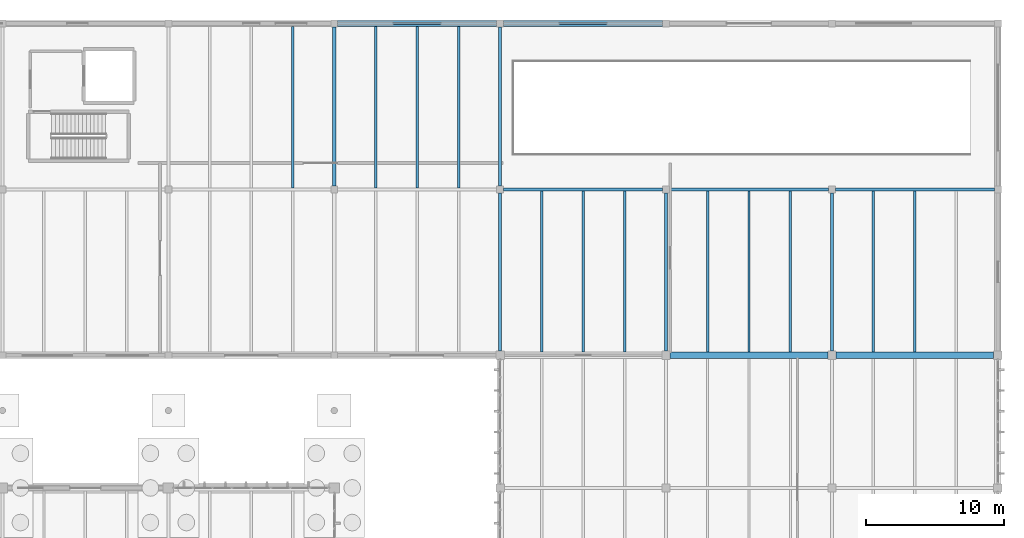
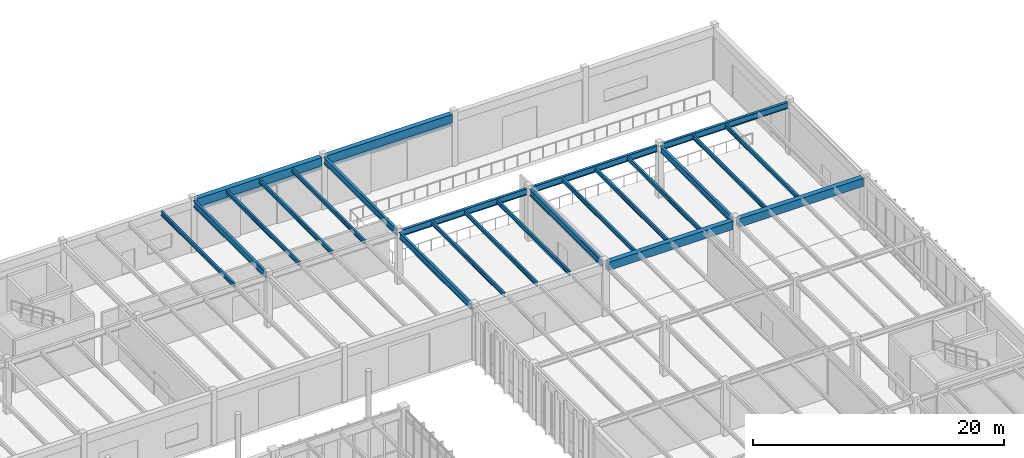
# One storey, part 125 of 188: 26 beams.
"""IFC4 building model written with IfcOpenShell, lengths in metres."""

from ifc_helpers import new_model, si_unit, direction, frame, origin, origin_2d, place, context, subcontext, project, spatial, rectangle, hollow_rectangle, i_section, extrude, material, material_profile, profile_set, type_object, element, save


model = new_model("IFC4")

# Units and contexts
model_context = context("Model", 3, precision=1e-05, world=origin(), true_north=direction((0.0, 1.0)))
body_context = subcontext(model_context, "Body", "Model", "MODEL_VIEW")
ifc_project = project(units=[si_unit("LENGTHUNIT", "METRE"), si_unit("AREAUNIT", "SQUARE_METRE"), si_unit("VOLUMEUNIT", "CUBIC_METRE"), si_unit("PLANEANGLEUNIT", "RADIAN"), si_unit("MASSUNIT", "GRAM", prefix="KILO")], contexts=[model_context])

# Site, building, storey
site_placement = place(None, origin())
site = spatial("IfcSite", under=ifc_project, at=site_placement, CompositionType="ELEMENT")
building_placement = place(site_placement, origin())
building = spatial("IfcBuilding", under=site, at=building_placement, Name="Pandanus Reach Market Hall", CompositionType="ELEMENT")
storey_placement = place(building_placement, origin())
storey = spatial("IfcBuildingStorey", under=building, at=storey_placement, Name="L00", CompositionType="ELEMENT", Elevation=0.0)

# Beams
ifc_material_1 = material(Name="Concrete N40 (40 MPa)", Category="concrete")
ifc_material_profile_1 = material_profile(ifc_material_1, rectangle(XDim=0.449951171875, YDim=0.800048828125, at=origin_2d()), Name="RC450x800", Category="LoadBearing")
ifc_profile_set_1 = profile_set([ifc_material_profile_1], Name="Concrete N40 (40 MPa)")
beam_type_1 = type_object("IfcBeamType", Name="BM-RC450-E", PredefinedType="SPANDREL", material=ifc_profile_set_1)
for number, where, z_axis, x_axis, name in (
    (1, (156.298095703125, 96.0, 4.659912109375), (1.0, 0.0, 0.0), (0.0, 1.0, 0.0), "Framing beam BM-RC450-E L00.186"),
    (2, (168.298095703125, 96.0, 4.659912109375), (1.0, 0.0, 0.0), (0.0, 1.0, 0.0), "Framing beam BM-RC450-E L00.187"),
):
    element("IfcBeam", number, at=place(storey_placement, frame(where, z_axis=z_axis, x_axis=x_axis)), inside=storey, type_object=beam_type_1, Name=name, PredefinedType="SPANDREL", context=body_context, shape_type="SweptSolid", body=[
        extrude(rectangle(XDim=0.449951171875, YDim=0.800048828125, at=origin_2d()), origin(), (0.0, 0.0, 1.0), 11.40380859375),
    ])
for number, where, z_axis, x_axis, name in (
    (3, (132.248046875, 120.0, 4.68505859375), (1.0, 0.0, 0.0), (0.0, 1.0, 0.0), "Framing beam BM-RC450-E L00.779"),
    (4, (144.248046875, 120.0, 4.68505859375), (1.0, 0.0, 0.0), (0.0, 1.0, 0.0), "Framing beam BM-RC450-E L00.780"),
):
    element("IfcBeam", number, at=place(storey_placement, frame(where, z_axis=z_axis, x_axis=x_axis)), inside=storey, type_object=beam_type_1, Name=name, PredefinedType="SPANDREL", context=body_context, shape_type="SweptSolid", body=[
        extrude(rectangle(XDim=0.449951171875, YDim=0.800048828125, at=origin_2d()), origin(), (0.0, 0.0, 1.0), 11.50390625),
    ])
ifc_material_2 = material(Name="Steel Grade 350 (350 MPa)", Category="steel")
ifc_material_profile_2 = material_profile(ifc_material_2, i_section(OverallWidth=0.22900390625, OverallDepth=0.612060546875, WebThickness=0.011962890625, FlangeThickness=0.01953125, at=origin_2d()), Name="610UB125", Category="LoadBearing")
ifc_profile_set_2 = profile_set([ifc_material_profile_2], Name="Steel Grade 350 (350 MPa)")
beam_type_2 = type_object("IfcBeamType", Name="BM-UB610-I", PredefinedType="BEAM", material=ifc_profile_set_2)
for number, where, z_axis, x_axis, name in (
    (5, (144.248046875, 108.0, 4.753662109375), (1.0, 0.0, 0.0), (0.0, 1.0, 0.0), "Framing beam BM-UB610-I L00.770"),
    (6, (156.248046875, 108.0, 4.753662109375), (1.0, 0.0, 0.0), (0.0, 1.0, 0.0), "Framing beam BM-UB610-I L00.771"),
    (7, (168.248046875, 108.0, 4.753662109375), (1.0, 0.0, 0.0), (0.0, 1.0, 0.0), "Framing beam BM-UB610-I L00.772"),
    (8, (132.0, 108.248046875, 4.778564453125), (0.0, 1.0, 0.0), (-1.0, 0.0, 0.0), "Framing beam BM-UB610-I L00.796"),
):
    element("IfcBeam", number, at=place(storey_placement, frame(where, z_axis=z_axis, x_axis=x_axis)), inside=storey, type_object=beam_type_2, Name=name, PredefinedType="BEAM", context=body_context, shape_type="SweptSolid", body=[
        extrude(i_section(OverallWidth=0.22900390625, OverallDepth=0.612060546875, WebThickness=0.011962890625, FlangeThickness=0.01953125, at=origin_2d()), origin(), (0.0, 0.0, 1.0), 11.50390625),
    ])
beam_1_placement = place(storey_placement, frame((144.0, 96.298095703125, 4.753662109375), z_axis=(0.0, 1.0, 0.0), x_axis=(-1.0, 0.0, 0.0)))
element("IfcBeam", 9, at=beam_1_placement, inside=storey, type_object=beam_type_2, Name="Framing beam BM-UB610-I L00.797", PredefinedType="BEAM", context=body_context, shape_type="SweptSolid", body=[
    extrude(i_section(OverallWidth=0.22900390625, OverallDepth=0.612060546875, WebThickness=0.011962890625, FlangeThickness=0.01953125, at=origin_2d()), origin(), (0.0, 0.0, 1.0), 11.453857421875),
])
beam_2_placement = place(storey_placement, frame((144.0, 108.248046875, 4.778564453125), z_axis=(0.0, 1.0, 0.0), x_axis=(-1.0, 0.0, 0.0)))
element("IfcBeam", 10, at=beam_2_placement, inside=storey, type_object=beam_type_2, Name="Framing beam BM-UB610-I L00.798", PredefinedType="BEAM", context=body_context, shape_type="SweptSolid", body=[
    extrude(i_section(OverallWidth=0.22900390625, OverallDepth=0.612060546875, WebThickness=0.011962890625, FlangeThickness=0.01953125, at=origin_2d()), origin(), (0.0, 0.0, 1.0), 11.50390625),
])
for number, where, z_axis, x_axis, name in (
    (11, (156.0, 96.298095703125, 4.753662109375), (0.0, 1.0, 0.0), (-1.0, 0.0, 0.0), "Framing beam BM-UB610-I L00.799"),
    (12, (168.0, 96.298095703125, 4.753662109375), (0.0, 1.0, 0.0), (-1.0, 0.0, 0.0), "Framing beam BM-UB610-I L00.800"),
):
    element("IfcBeam", number, at=place(storey_placement, frame(where, z_axis=z_axis, x_axis=x_axis)), inside=storey, type_object=beam_type_2, Name=name, PredefinedType="BEAM", context=body_context, shape_type="SweptSolid", body=[
        extrude(i_section(OverallWidth=0.22900390625, OverallDepth=0.612060546875, WebThickness=0.011962890625, FlangeThickness=0.01953125, at=origin_2d()), origin(), (0.0, 0.0, 1.0), 11.453857421875),
    ])
ifc_material_profile_3 = material_profile(ifc_material_2, i_section(OverallWidth=0.177978515625, OverallDepth=0.406005859375, WebThickness=0.0078125, FlangeThickness=0.0126953125, at=origin_2d()), Name="410UB59.7", Category="LoadBearing")
ifc_profile_set_3 = profile_set([ifc_material_profile_3], Name="Steel Grade 350 (350 MPa)")
beam_type_3 = type_object("IfcBeamType", Name="JS-UB410-I", PredefinedType="JOIST", material=ifc_profile_set_3)
for number, where, z_axis, x_axis, name in (
    (13, (129.0, 108.112548828125, 4.881591796875), (0.0, 1.0, 0.0), (-1.0, 0.0, 0.0), "Secondary joist JS-UB410-I L00.832"),
    (14, (135.0, 108.112548828125, 4.881591796875), (0.0, 1.0, 0.0), (-1.0, 0.0, 0.0), "Secondary joist JS-UB410-I L00.836"),
    (15, (138.0, 108.112548828125, 4.881591796875), (0.0, 1.0, 0.0), (-1.0, 0.0, 0.0), "Secondary joist JS-UB410-I L00.837"),
    (16, (141.0, 108.112548828125, 4.881591796875), (0.0, 1.0, 0.0), (-1.0, 0.0, 0.0), "Secondary joist JS-UB410-I L00.838"),
    (17, (147.0, 96.222900390625, 4.856689453125), (0.0, 1.0, 0.0), (-1.0, 0.0, 0.0), "Secondary joist JS-UB410-I L00.839"),
    (18, (150.0, 96.222900390625, 4.856689453125), (0.0, 1.0, 0.0), (-1.0, 0.0, 0.0), "Secondary joist JS-UB410-I L00.840"),
    (19, (153.0, 96.222900390625, 4.856689453125), (0.0, 1.0, 0.0), (-1.0, 0.0, 0.0), "Secondary joist JS-UB410-I L00.841"),
    (20, (159.0, 96.222900390625, 4.856689453125), (0.0, 1.0, 0.0), (-1.0, 0.0, 0.0), "Secondary joist JS-UB410-I L00.842"),
    (21, (162.0, 96.222900390625, 4.856689453125), (0.0, 1.0, 0.0), (-1.0, 0.0, 0.0), "Secondary joist JS-UB410-I L00.843"),
    (22, (165.0, 96.222900390625, 4.856689453125), (0.0, 1.0, 0.0), (-1.0, 0.0, 0.0), "Secondary joist JS-UB410-I L00.844"),
    (23, (171.0, 96.222900390625, 4.856689453125), (0.0, 1.0, 0.0), (-1.0, 0.0, 0.0), "Secondary joist JS-UB410-I L00.845"),
    (24, (174.0, 96.222900390625, 4.856689453125), (0.0, 1.0, 0.0), (-1.0, 0.0, 0.0), "Secondary joist JS-UB410-I L00.846"),
):
    element("IfcBeam", number, at=place(storey_placement, frame(where, z_axis=z_axis, x_axis=x_axis)), inside=storey, type_object=beam_type_3, Name=name, PredefinedType="JOIST", context=body_context, shape_type="SweptSolid", body=[
        extrude(i_section(OverallWidth=0.177978515625, OverallDepth=0.406005859375, WebThickness=0.0078125, FlangeThickness=0.0126953125, at=origin_2d()), origin(), (0.0, 0.0, 1.0), 11.66455078125),
    ])
ifc_material_profile_4 = material_profile(ifc_material_2, hollow_rectangle(XDim=0.14990234375, YDim=0.25, WallThickness=0.009033203125, at=origin_2d()), Name="250x150x9.0RHS", Category="LoadBearing")
ifc_profile_set_4 = profile_set([ifc_material_profile_4], Name="Steel Grade 350 (350 MPa)")
beam_type_4 = type_object("IfcBeamType", Name="LN-RHS250-E", PredefinedType="LINTEL", material=ifc_profile_set_4)
for number, where, z_axis, x_axis, name in (
    (25, (132.248046875, 120.0, 3.949951171875), (1.0, 0.0, 0.0), (0.0, 1.0, 0.0), "Dock opening lintel 3"),
    (26, (144.248046875, 120.0, 3.949951171875), (1.0, 0.0, 0.0), (0.0, 1.0, 0.0), "Dock opening lintel 4"),
):
    element("IfcBeam", number, at=place(storey_placement, frame(where, z_axis=z_axis, x_axis=x_axis)), inside=storey, type_object=beam_type_4, Name=name, PredefinedType="LINTEL", context=body_context, shape_type="SweptSolid", body=[
        extrude(hollow_rectangle(XDim=0.14990234375, YDim=0.25, WallThickness=0.009033203125, at=origin_2d()), origin(), (0.0, 0.0, 1.0), 11.50390625),
    ])

save(model, "model.ifc")
